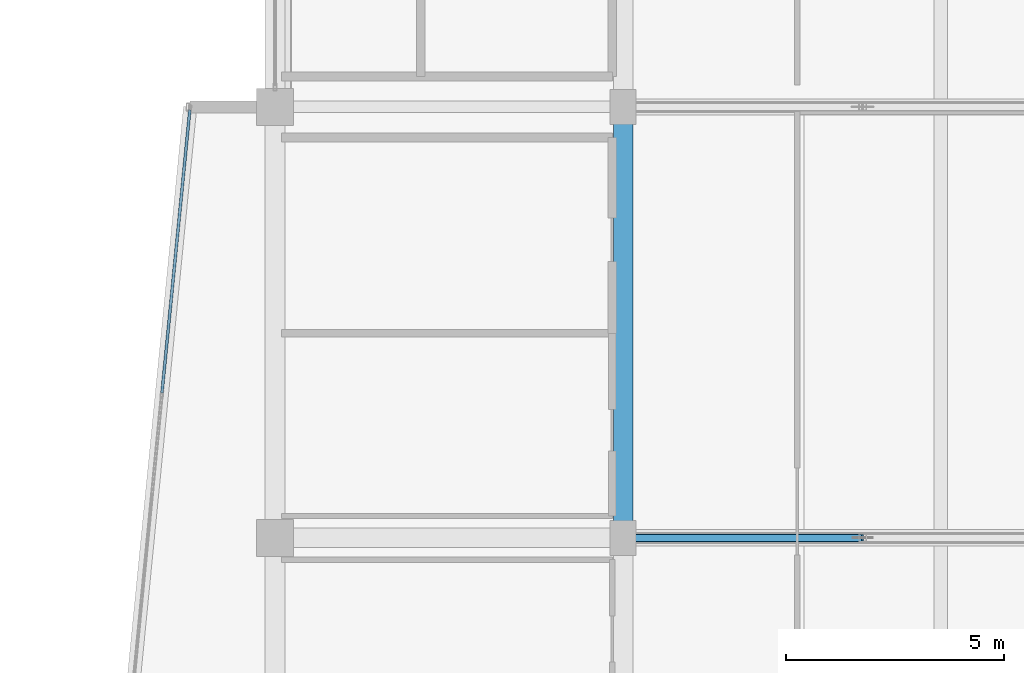
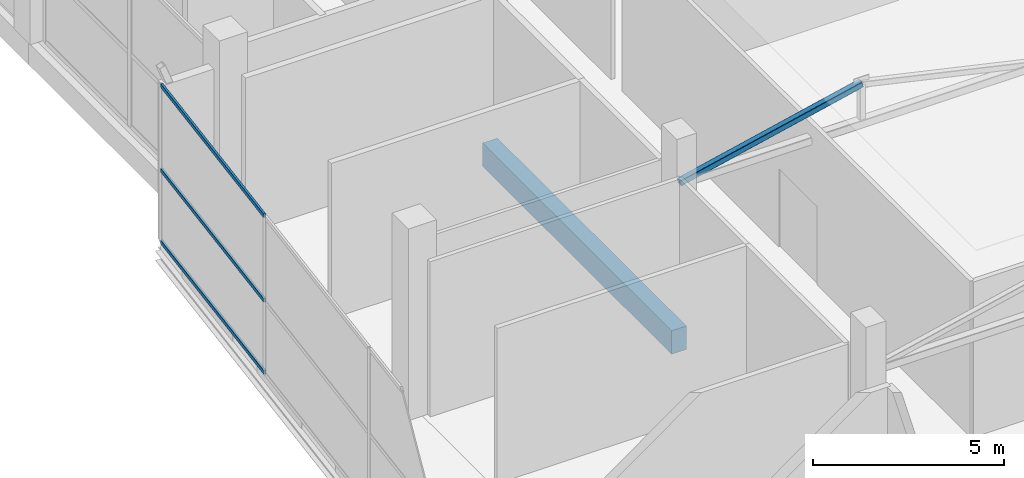
# One storey, part 13 of 58: 4 members, 1 beam, 1 element without a shape of its own.
"""IFC4 building model written with IfcOpenShell, lengths in metres."""

from ifc_helpers import new_model, si_unit, direction, frame, origin, origin_2d, place, context, subcontext, project, spatial, rectangle, hollow_rectangle, extrude, material, layer, layer_set, material_profile, profile_set, type_object, element, aggregate, save


model = new_model("IFC4")

# Units and contexts
model_context = context("Model", 3, precision=1e-05, world=origin(), true_north=direction((0.0, 1.0)))
body_context = subcontext(model_context, "Body", "Model", "MODEL_VIEW")
ifc_project = project(units=[si_unit("LENGTHUNIT", "METRE"), si_unit("AREAUNIT", "SQUARE_METRE"), si_unit("VOLUMEUNIT", "CUBIC_METRE"), si_unit("PLANEANGLEUNIT", "RADIAN"), si_unit("MASSUNIT", "GRAM", prefix="KILO")], contexts=[model_context])

# Site, building, storey
site_placement = place(None, origin())
site = spatial("IfcSite", under=ifc_project, at=site_placement, CompositionType="ELEMENT")
building_placement = place(site_placement, origin())
building = spatial("IfcBuilding", under=site, at=building_placement, Name="Sillaruma Civic Art Gallery", CompositionType="ELEMENT")
storey_placement = place(building_placement, frame((0.0, 0.0, 22.43994140625)))
storey = spatial("IfcBuildingStorey", under=building, at=storey_placement, Name="L04", CompositionType="ELEMENT", Elevation=22.43994140625)

# Beam
ifc_material_1 = material(Name="Concrete H40 (40 MPa)", Category="concrete")
ifc_material_profile_1 = material_profile(ifc_material_1, rectangle(XDim=0.449951171875, YDim=0.75, at=origin_2d()), Name="RCB450x750")
ifc_profile_set_1 = profile_set([ifc_material_profile_1], Name="Concrete H40 (40 MPa)")
beam_type = type_object("IfcBeamType", Name="BM-BEAM-RCB450x750", PredefinedType="BEAM", material=ifc_profile_set_1)
beam_placement = place(storey_placement, frame((70.0, 59.39990234375, -0.635009765625), z_axis=(0.0, 1.0, 0.0), x_axis=(-1.0, 0.0, 0.0)))
element("IfcBeam", 1, at=beam_placement, inside=storey, type_object=beam_type, Name="Beam BM-03 (L03:G:7-8)", PredefinedType="BEAM", context=body_context, shape_type="SweptSolid", body=[
    extrude(rectangle(XDim=0.449951171875, YDim=0.75, at=origin_2d()), origin(), (0.0, 0.0, 1.0), 9.900146484375),
])

# Member
ifc_material_2 = material(Name="Structural Steel ASTM A500 Gr.C", Category="steel")
ifc_material_profile_2 = material_profile(ifc_material_2, hollow_rectangle(XDim=0.179931640625, YDim=0.179931640625, WallThickness=0.010009765625, InnerFilletRadius=0.010009765625, OuterFilletRadius=0.02001953125, at=origin_2d()), Name="HSS180x180x10")
ifc_profile_set_2 = profile_set([ifc_material_profile_2], Name="Structural Steel ASTM A500 Gr.C")
member_type_1 = type_object("IfcMemberType", Name="MEM-BRACE-HSS180x180x10", PredefinedType="BRACE", material=ifc_profile_set_2)
member_1_placement = place(storey_placement, frame((70.0, 59.39990234375, 4.4150390625), z_axis=(0.975552224414, 0.0, 0.219767735214), x_axis=(0.0, 1.0, 0.0)))
element("IfcMember", 2, at=member_1_placement, inside=storey, type_object=member_type_1, Name="Warren Truss Diagonal TR-L04-2-D1", PredefinedType="BRACE", context=body_context, shape_type="SweptSolid", body=[
    extrude(hollow_rectangle(XDim=0.179931640625, YDim=0.179931640625, WallThickness=0.010009765625, InnerFilletRadius=0.010009765625, OuterFilletRadius=0.02001953125, at=origin_2d()), origin(), (0.0, 0.0, 1.0), 5.637939453125),
])

# Curtain wall, members
ifc_material_3 = material(Name="Thermally Broken Extruded Aluminium 6063-T6", Category="aluminium")
ifc_layer = layer(ifc_material_3, 0.159912109375, Name="Thermally Broken Extruded Aluminium 6063-T6")
ifc_layer_set = layer_set([ifc_layer], Name="Thermally Broken Extruded Aluminium 6063-T6")
curtain_wall_type = type_object("IfcCurtainWallType", Name="CW-UNI-25", PredefinedType="NOTDEFINED", material=ifc_layer_set)
curtain_wall_placement = place(storey_placement, origin())
curtain_wall = element("IfcCurtainWall", 3, at=curtain_wall_placement, inside=storey, type_object=curtain_wall_type, Name="Unitised Curtain Wall CW-25 (CW-PRW-L04-W-ANG)", PredefinedType="NOTDEFINED")
ifc_material_profile_3 = material_profile(ifc_material_3, hollow_rectangle(XDim=0.06494140625, YDim=0.1201171875, WallThickness=0.00341796875, at=origin_2d()), Name="CWT65x120")
ifc_profile_set_3 = profile_set([ifc_material_profile_3], Name="Thermally Broken Extruded Aluminium 6063-T6")
member_type_2 = type_object("IfcMemberType", Name="MEM-TRN-CWT65x120", PredefinedType="USERDEFINED", material=ifc_profile_set_3)
member_2_placement = place(storey_placement, frame((60.043701171875, 69.2353515625, 0.032470703125), z_axis=(-0.098038712533, -0.99518260176, 0.0), x_axis=(0.99518260176, -0.098038712533, 0.0)))
member_2 = element("IfcMember", 4, at=member_2_placement, type_object=member_type_2, Name="CW-25 transom 1.1", ObjectType="TRANSOM", PredefinedType="USERDEFINED", context=body_context, shape_type="SweptSolid", body=[
    extrude(hollow_rectangle(XDim=0.06494140625, YDim=0.1201171875, WallThickness=0.00341796875, at=origin_2d()), origin(), (0.0, 0.0, 1.0), 6.534423828125),
])
member_3_placement = place(storey_placement, frame((60.043701171875, 69.2353515625, 2.32763671875), z_axis=(-0.098038712533, -0.99518260176, 0.0), x_axis=(0.99518260176, -0.098038712533, 0.0)))
member_3 = element("IfcMember", 5, at=member_3_placement, type_object=member_type_2, Name="CW-25 transom 1.2", ObjectType="TRANSOM", PredefinedType="USERDEFINED", context=body_context, shape_type="SweptSolid", body=[
    extrude(hollow_rectangle(XDim=0.06494140625, YDim=0.1201171875, WallThickness=0.00341796875, at=origin_2d()), origin(), (0.0, 0.0, 1.0), 6.534423828125),
])
member_4_placement = place(storey_placement, frame((60.043701171875, 69.2353515625, 5.027587890625), z_axis=(-0.098038712533, -0.99518260176, 0.0), x_axis=(0.99518260176, -0.098038712533, 0.0)))
member_4 = element("IfcMember", 6, at=member_4_placement, type_object=member_type_2, Name="CW-25 transom 1.3", ObjectType="TRANSOM", PredefinedType="USERDEFINED", context=body_context, shape_type="SweptSolid", body=[
    extrude(hollow_rectangle(XDim=0.06494140625, YDim=0.1201171875, WallThickness=0.00341796875, at=origin_2d()), origin(), (0.0, 0.0, 1.0), 6.534423828125),
])
aggregate(curtain_wall, [member_2, member_3, member_4])

save(model, "model.ifc")
